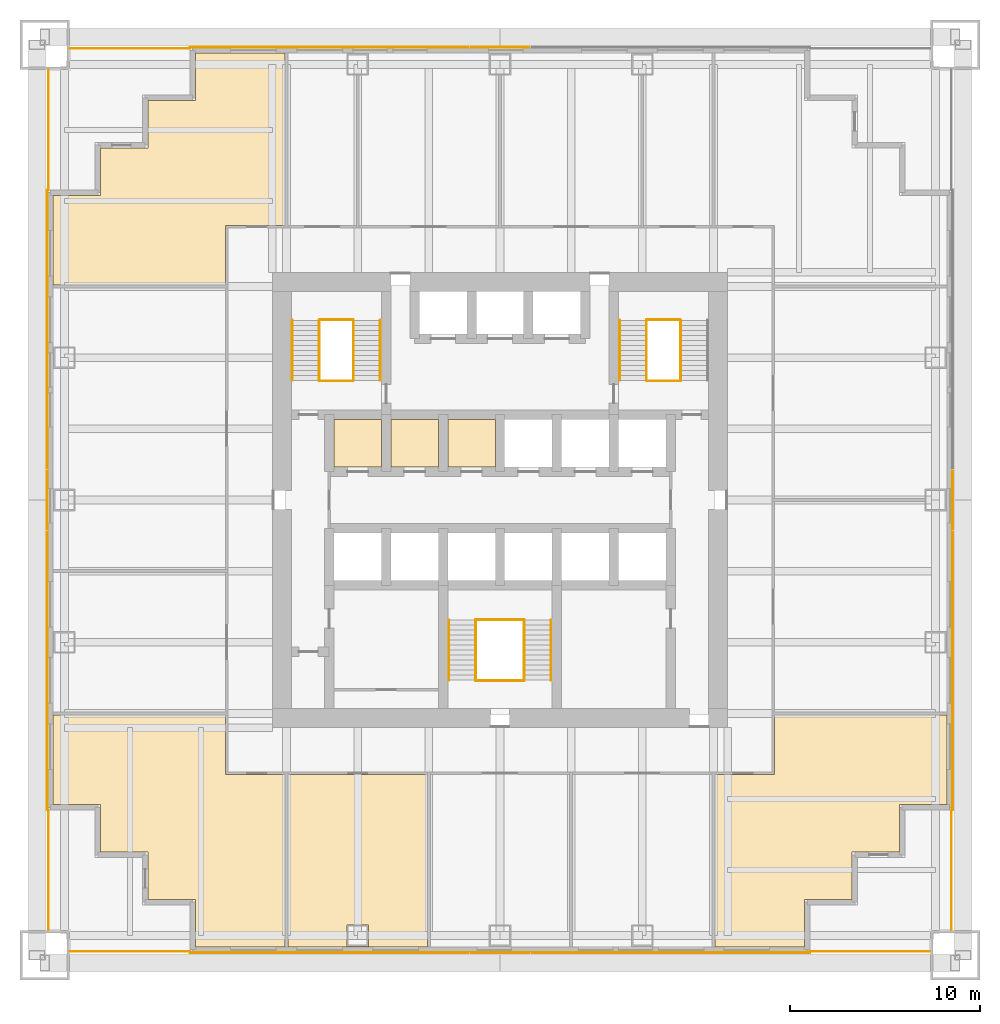
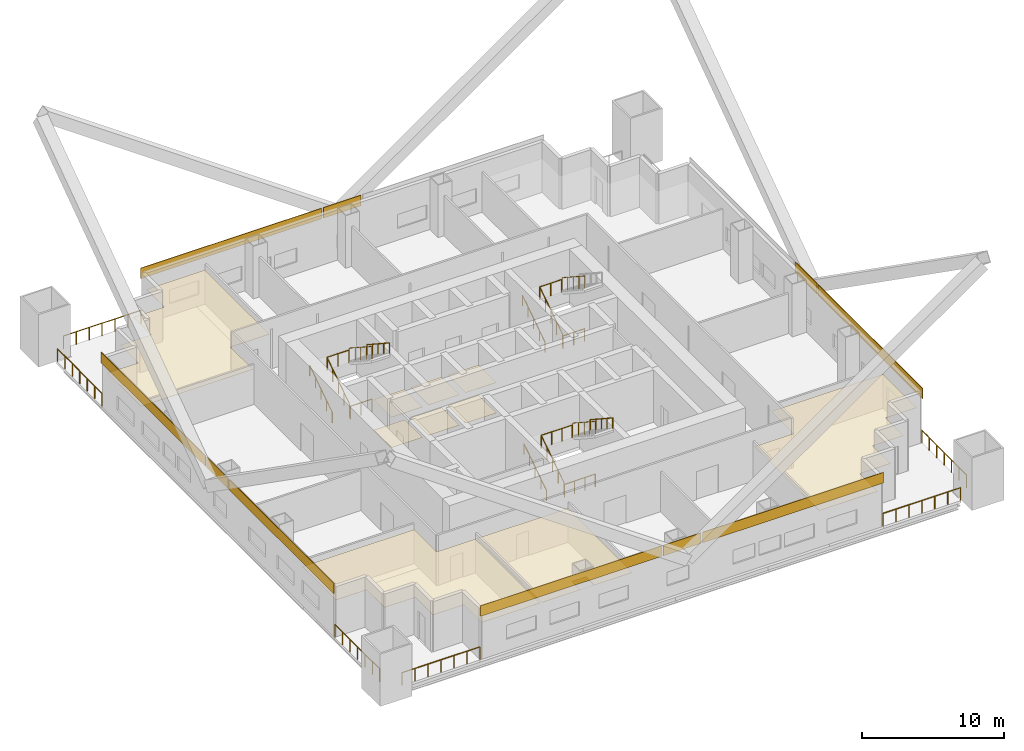
# One storey, part 6 of 7: 23 railings, 20 coverings.
"""IFC4 building model written with IfcOpenShell, lengths in metres."""

from ifc_helpers import new_model, si_unit, direction, frame, origin, origin_2d, place, context, subcontext, project, spatial, polyline, rectangle, circle, outline, extrude, material, layer, layer_set, type_object, element, save


model = new_model("IFC4")

# Units and contexts
model_context = context("Model", 3, precision=1e-05, world=origin(), true_north=direction((0.0, 1.0)))
body_context = subcontext(model_context, "Body", "Model", "MODEL_VIEW")
ifc_project = project(units=[si_unit("LENGTHUNIT", "METRE"), si_unit("AREAUNIT", "SQUARE_METRE"), si_unit("VOLUMEUNIT", "CUBIC_METRE"), si_unit("PLANEANGLEUNIT", "RADIAN"), si_unit("MASSUNIT", "GRAM", prefix="KILO")], contexts=[model_context])

# Site, building, storey
site_placement = place(None, origin())
site = spatial("IfcSite", under=ifc_project, at=site_placement, CompositionType="ELEMENT")
building_placement = place(site_placement, origin())
building = spatial("IfcBuilding", under=site, at=building_placement, Name="Tarangal Relay Tower", CompositionType="ELEMENT")
storey_placement = place(building_placement, frame((0.0, 0.0, 117.89990234375)))
storey = spatial("IfcBuildingStorey", under=building, at=storey_placement, Name="L23", CompositionType="ELEMENT", Elevation=117.89990234375)

# Coverings
ifc_material_1 = material(Name="Anti-static vinyl flooring", Category="plastic")
ifc_layer_1 = layer(ifc_material_1, 0.010009765625)
ifc_layer_set_1 = layer_set([ifc_layer_1], Name="Anti-static vinyl floor")
covering_type_1 = type_object("IfcCoveringType", Name="Anti-static vinyl floor", PredefinedType="FLOORING", material=ifc_layer_set_1)
covering_1_placement = place(storey_placement, origin())
element("IfcCovering", 1, at=covering_1_placement, inside=storey, type_object=covering_type_1, Name="Floor finish FL1 L23-D1", PredefinedType="FLOORING", context=body_context, shape_type="SweptSolid", body=[
    extrude(outline(polyline([(-8.75, 1.75), (-6.25, 1.75), (-6.25, 4.25), (-8.75, 4.25), (-8.75, 1.75)])), origin(), (0.0, 0.0, 1.0), 0.010009765625),
])
covering_2_placement = place(storey_placement, origin())
element("IfcCovering", 2, at=covering_2_placement, inside=storey, type_object=covering_type_1, Name="Floor finish FL1 L23-D2", PredefinedType="FLOORING", context=body_context, shape_type="SweptSolid", body=[
    extrude(outline(polyline([(-5.75, 1.75), (-3.25, 1.75), (-3.25, 4.25), (-5.75, 4.25), (-5.75, 1.75)])), origin(), (0.0, 0.0, 1.0), 0.010009765625),
])
covering_3_placement = place(storey_placement, origin())
element("IfcCovering", 3, at=covering_3_placement, inside=storey, type_object=covering_type_1, Name="Floor finish FL1 L23-D3", PredefinedType="FLOORING", context=body_context, shape_type="SweptSolid", body=[
    extrude(outline(polyline([(-2.75, 1.75), (-0.25, 1.75), (-0.25, 4.25), (-2.75, 4.25), (-2.75, 1.75)])), origin(), (0.0, 0.0, 1.0), 0.010009765625),
])
ifc_material_2 = material(Name="Black anodised aluminium cladding", Category="aluminium")
ifc_layer_2 = layer(ifc_material_2, 0.050048828125)
ifc_layer_set_2 = layer_set([ifc_layer_2], Name="Black metal spandrel band")
covering_type_2 = type_object("IfcCoveringType", Name="Black metal spandrel band", PredefinedType="CLADDING", material=ifc_layer_set_2)
covering_4_placement = place(storey_placement, frame((-9.010009765625, 23.875, 3.750244140625), z_axis=(0.0, 0.0, 1.0), x_axis=(1.0, 0.0, 0.0)))
element("IfcCovering", 4, at=covering_4_placement, inside=storey, type_object=covering_type_2, Name="Spandrel band SB1 N L23", PredefinedType="CLADDING", context=body_context, shape_type="SweptSolid", body=[
    extrude(rectangle(XDim=14.679931640625, YDim=0.050048828125, at=origin_2d()), origin(), (0.0, 0.0, 1.0), 0.89990234375),
])
for number, where, z_axis, x_axis, name in (
    (5, (0.0, 23.875, 3.750244140625), (0.0, 0.0, 1.0), (1.0, 0.0, 0.0), "Spandrel band SB1 N L23"),
    (6, (23.875, 0.0, 3.750244140625), (0.0, 0.0, 1.0), (0.0, -1.0, 0.0), "Spandrel band SB1 E L23"),
):
    element("IfcCovering", number, at=place(storey_placement, frame(where, z_axis=z_axis, x_axis=x_axis)), inside=storey, type_object=covering_type_2, Name=name, PredefinedType="CLADDING", context=body_context, shape_type="SweptSolid", body=[
        extrude(rectangle(XDim=3.06005859375, YDim=0.050048828125, at=origin_2d()), origin(), (0.0, 0.0, 1.0), 0.89990234375),
    ])
for number, where, z_axis, x_axis, name in (
    (7, (23.875, -9.010009765625, 3.750244140625), (0.0, 0.0, 1.0), (0.0, -1.0, 0.0), "Spandrel band SB1 E L23"),
    (8, (9.010009765625, -23.875, 3.750244140625), (0.0, 0.0, 1.0), (-1.0, 0.0, 0.0), "Spandrel band SB1 S L23"),
):
    element("IfcCovering", number, at=place(storey_placement, frame(where, z_axis=z_axis, x_axis=x_axis)), inside=storey, type_object=covering_type_2, Name=name, PredefinedType="CLADDING", context=body_context, shape_type="SweptSolid", body=[
        extrude(rectangle(XDim=14.679931640625, YDim=0.050048828125, at=origin_2d()), origin(), (0.0, 0.0, 1.0), 0.89990234375),
    ])
covering_5_placement = place(storey_placement, frame((0.0, -23.875, 3.750244140625), z_axis=(0.0, 0.0, 1.0), x_axis=(-1.0, 0.0, 0.0)))
element("IfcCovering", 9, at=covering_5_placement, inside=storey, type_object=covering_type_2, Name="Spandrel band SB1 S L23", PredefinedType="CLADDING", context=body_context, shape_type="SweptSolid", body=[
    extrude(rectangle(XDim=3.06005859375, YDim=0.050048828125, at=origin_2d()), origin(), (0.0, 0.0, 1.0), 0.89990234375),
])
for number, where, z_axis, x_axis, name in (
    (10, (-9.010009765625, -23.875, 3.750244140625), (0.0, 0.0, 1.0), (-1.0, 0.0, 0.0), "Spandrel band SB1 S L23"),
    (11, (-23.875, -9.010009765625, 3.750244140625), (0.0, 0.0, 1.0), (0.0, 1.0, 0.0), "Spandrel band SB1 W L23"),
):
    element("IfcCovering", number, at=place(storey_placement, frame(where, z_axis=z_axis, x_axis=x_axis)), inside=storey, type_object=covering_type_2, Name=name, PredefinedType="CLADDING", context=body_context, shape_type="SweptSolid", body=[
        extrude(rectangle(XDim=14.679931640625, YDim=0.050048828125, at=origin_2d()), origin(), (0.0, 0.0, 1.0), 0.89990234375),
    ])
covering_6_placement = place(storey_placement, frame((-23.875, 0.0, 3.750244140625), z_axis=(0.0, 0.0, 1.0), x_axis=(0.0, 1.0, 0.0)))
element("IfcCovering", 12, at=covering_6_placement, inside=storey, type_object=covering_type_2, Name="Spandrel band SB1 W L23", PredefinedType="CLADDING", context=body_context, shape_type="SweptSolid", body=[
    extrude(rectangle(XDim=3.06005859375, YDim=0.050048828125, at=origin_2d()), origin(), (0.0, 0.0, 1.0), 0.89990234375),
])
covering_7_placement = place(storey_placement, frame((-23.875, 9.010009765625, 3.750244140625), z_axis=(0.0, 0.0, 1.0), x_axis=(0.0, 1.0, 0.0)))
element("IfcCovering", 13, at=covering_7_placement, inside=storey, type_object=covering_type_2, Name="Spandrel band SB1 W L23", PredefinedType="CLADDING", context=body_context, shape_type="SweptSolid", body=[
    extrude(rectangle(XDim=14.679931640625, YDim=0.050048828125, at=origin_2d()), origin(), (0.0, 0.0, 1.0), 0.89990234375),
])

# Railings
ifc_material_3 = material(Name="Steel guard, black finish", Category="steel")
railing_type_1 = type_object("IfcRailingType", Name="Stair guard 1100", PredefinedType="GUARDRAIL", material=ifc_material_3)
railing_1_placement = place(storey_placement, frame((-9.530029296875, 6.300048828125, 0.173095703125)))
element("IfcRailing", 14, at=railing_1_placement, inside=storey, type_object=railing_type_1, Name="Stair ST-A guard GR1 L23 flight 1", PredefinedType="GUARDRAIL", context=body_context, shape_type="SweptSolid", body=[
    extrude(circle(Radius=0.02392578125, at=origin_2d()), frame((0.0, 0.0, 1.076171875), z_axis=(0.0, 0.83629911093, 0.548273469226), x_axis=(-1.0, 0.0, 0.0)), (0.0, 0.0, 1.0), 3.7880859375),
    extrude(circle(Radius=0.02099609375, at=origin_2d()), origin(), (0.0, 0.0, 1.0), 1.052001953125),
    extrude(circle(Radius=0.02099609375, at=origin_2d()), frame((0.0, 0.7919921875, 0.519287109375)), (0.0, 0.0, 1.0), 1.052001953125),
    extrude(circle(Radius=0.02099609375, at=origin_2d()), frame((0.0, 1.583984375, 1.03857421875)), (0.0, 0.0, 1.0), 1.052001953125),
    extrude(circle(Radius=0.02099609375, at=origin_2d()), frame((0.0, 2.3759765625, 1.5576171875)), (0.0, 0.0, 1.0), 1.052001953125),
    extrude(circle(Radius=0.02099609375, at=origin_2d()), frame((0.0, 3.16796875, 2.076904296875)), (0.0, 0.0, 1.0), 1.052001953125),
])
railing_2_placement = place(storey_placement, frame((-7.719970703125, 9.468017578125, 2.423095703125)))
element("IfcRailing", 15, at=railing_2_placement, inside=storey, type_object=railing_type_1, Name="Stair ST-A guard GR1 L23 flight 2", PredefinedType="GUARDRAIL", context=body_context, shape_type="SweptSolid", body=[
    extrude(circle(Radius=0.02392578125, at=origin_2d()), frame((0.0, 0.0, 1.076171875), z_axis=(0.0, -0.83629911093, 0.548273469226), x_axis=(1.0, 0.0, 0.0)), (0.0, 0.0, 1.0), 3.7880859375),
    extrude(circle(Radius=0.02099609375, at=origin_2d()), origin(), (0.0, 0.0, 1.0), 1.052001953125),
    extrude(circle(Radius=0.02099609375, at=origin_2d()), frame((0.0, -0.7919921875, 0.519287109375)), (0.0, 0.0, 1.0), 1.052001953125),
    extrude(circle(Radius=0.02099609375, at=origin_2d()), frame((0.0, -1.583984375, 1.03857421875)), (0.0, 0.0, 1.0), 1.052001953125),
    extrude(circle(Radius=0.02099609375, at=origin_2d()), frame((0.0, -2.3759765625, 1.5576171875)), (0.0, 0.0, 1.0), 1.052001953125),
    extrude(circle(Radius=0.02099609375, at=origin_2d()), frame((0.0, -3.16796875, 2.076904296875)), (0.0, 0.0, 1.0), 1.052001953125),
])
for number, where, name in (
    (16, (-9.5, 6.27001953125, 0.0), "Stair ST-A landing guard GR1 L23"),
    (17, (-9.5, 9.498046875, 2.25), "Stair ST-A landing guard GR1 L23"),
):
    element("IfcRailing", number, at=place(storey_placement, frame(where)), inside=storey, type_object=railing_type_1, Name=name, PredefinedType="GUARDRAIL", context=body_context, shape_type="SweptSolid", body=[
        extrude(circle(Radius=0.02392578125, at=origin_2d()), frame((0.0, 0.0, 1.076171875), z_axis=(1.0, 0.0, 0.0), x_axis=(0.0, 1.0, 0.0)), (0.0, 0.0, 1.0), 1.75),
        extrude(circle(Radius=0.02099609375, at=origin_2d()), origin(), (0.0, 0.0, 1.0), 1.052001953125),
        extrude(circle(Radius=0.02099609375, at=origin_2d()), frame((0.875, 0.0, 0.0)), (0.0, 0.0, 1.0), 1.052001953125),
        extrude(circle(Radius=0.02099609375, at=origin_2d()), frame((1.75, 0.0, 0.0)), (0.0, 0.0, 1.0), 1.052001953125),
    ])
railing_3_placement = place(storey_placement, frame((7.719970703125, 6.300048828125, 0.173095703125)))
element("IfcRailing", 18, at=railing_3_placement, inside=storey, type_object=railing_type_1, Name="Stair ST-B guard GR1 L23 flight 1", PredefinedType="GUARDRAIL", context=body_context, shape_type="SweptSolid", body=[
    extrude(circle(Radius=0.02392578125, at=origin_2d()), frame((0.0, 0.0, 1.076171875), z_axis=(0.0, 0.83629911093, 0.548273469226), x_axis=(-1.0, 0.0, 0.0)), (0.0, 0.0, 1.0), 3.7880859375),
    extrude(circle(Radius=0.02099609375, at=origin_2d()), origin(), (0.0, 0.0, 1.0), 1.052001953125),
    extrude(circle(Radius=0.02099609375, at=origin_2d()), frame((0.0, 0.7919921875, 0.519287109375)), (0.0, 0.0, 1.0), 1.052001953125),
    extrude(circle(Radius=0.02099609375, at=origin_2d()), frame((0.0, 1.583984375, 1.03857421875)), (0.0, 0.0, 1.0), 1.052001953125),
    extrude(circle(Radius=0.02099609375, at=origin_2d()), frame((0.0, 2.3759765625, 1.5576171875)), (0.0, 0.0, 1.0), 1.052001953125),
    extrude(circle(Radius=0.02099609375, at=origin_2d()), frame((0.0, 3.16796875, 2.076904296875)), (0.0, 0.0, 1.0), 1.052001953125),
])
railing_4_placement = place(storey_placement, frame((9.530029296875, 9.468017578125, 2.423095703125)))
element("IfcRailing", 19, at=railing_4_placement, inside=storey, type_object=railing_type_1, Name="Stair ST-B guard GR1 L23 flight 2", PredefinedType="GUARDRAIL", context=body_context, shape_type="SweptSolid", body=[
    extrude(circle(Radius=0.02392578125, at=origin_2d()), frame((0.0, 0.0, 1.076171875), z_axis=(0.0, -0.83629911093, 0.548273469226), x_axis=(1.0, 0.0, 0.0)), (0.0, 0.0, 1.0), 3.7880859375),
    extrude(circle(Radius=0.02099609375, at=origin_2d()), origin(), (0.0, 0.0, 1.0), 1.052001953125),
    extrude(circle(Radius=0.02099609375, at=origin_2d()), frame((0.0, -0.7919921875, 0.519287109375)), (0.0, 0.0, 1.0), 1.052001953125),
    extrude(circle(Radius=0.02099609375, at=origin_2d()), frame((0.0, -1.583984375, 1.03857421875)), (0.0, 0.0, 1.0), 1.052001953125),
    extrude(circle(Radius=0.02099609375, at=origin_2d()), frame((0.0, -2.3759765625, 1.5576171875)), (0.0, 0.0, 1.0), 1.052001953125),
    extrude(circle(Radius=0.02099609375, at=origin_2d()), frame((0.0, -3.16796875, 2.076904296875)), (0.0, 0.0, 1.0), 1.052001953125),
])
for number, where, name in (
    (20, (7.75, 6.27001953125, 0.0), "Stair ST-B landing guard GR1 L23"),
    (21, (7.75, 9.498046875, 2.25), "Stair ST-B landing guard GR1 L23"),
):
    element("IfcRailing", number, at=place(storey_placement, frame(where)), inside=storey, type_object=railing_type_1, Name=name, PredefinedType="GUARDRAIL", context=body_context, shape_type="SweptSolid", body=[
        extrude(circle(Radius=0.02392578125, at=origin_2d()), frame((0.0, 0.0, 1.076171875), z_axis=(1.0, 0.0, 0.0), x_axis=(0.0, 1.0, 0.0)), (0.0, 0.0, 1.0), 1.75),
        extrude(circle(Radius=0.02099609375, at=origin_2d()), origin(), (0.0, 0.0, 1.0), 1.052001953125),
        extrude(circle(Radius=0.02099609375, at=origin_2d()), frame((0.875, 0.0, 0.0)), (0.0, 0.0, 1.0), 1.052001953125),
        extrude(circle(Radius=0.02099609375, at=origin_2d()), frame((1.75, 0.0, 0.0)), (0.0, 0.0, 1.0), 1.052001953125),
    ])
railing_5_placement = place(storey_placement, frame((-1.280029296875, -9.5, 0.173095703125)))
element("IfcRailing", 22, at=railing_5_placement, inside=storey, type_object=railing_type_1, Name="Stair ST-C guard GR1 L23 flight 1", PredefinedType="GUARDRAIL", context=body_context, shape_type="SweptSolid", body=[
    extrude(circle(Radius=0.02392578125, at=origin_2d()), frame((0.0, 0.0, 1.076171875), z_axis=(0.0, 0.83629911093, 0.548273469226), x_axis=(-1.0, 0.0, 0.0)), (0.0, 0.0, 1.0), 3.7880859375),
    extrude(circle(Radius=0.02099609375, at=origin_2d()), origin(), (0.0, 0.0, 1.0), 1.052001953125),
    extrude(circle(Radius=0.02099609375, at=origin_2d()), frame((0.0, 0.7919921875, 0.519287109375)), (0.0, 0.0, 1.0), 1.052001953125),
    extrude(circle(Radius=0.02099609375, at=origin_2d()), frame((0.0, 1.583984375, 1.03857421875)), (0.0, 0.0, 1.0), 1.052001953125),
    extrude(circle(Radius=0.02099609375, at=origin_2d()), frame((0.0, 2.3759765625, 1.5576171875)), (0.0, 0.0, 1.0), 1.052001953125),
    extrude(circle(Radius=0.02099609375, at=origin_2d()), frame((0.0, 3.16796875, 2.076904296875)), (0.0, 0.0, 1.0), 1.052001953125),
])
railing_6_placement = place(storey_placement, frame((1.280029296875, -6.33203125, 2.423095703125)))
element("IfcRailing", 23, at=railing_6_placement, inside=storey, type_object=railing_type_1, Name="Stair ST-C guard GR1 L23 flight 2", PredefinedType="GUARDRAIL", context=body_context, shape_type="SweptSolid", body=[
    extrude(circle(Radius=0.02392578125, at=origin_2d()), frame((0.0, 0.0, 1.076171875), z_axis=(0.0, -0.83629911093, 0.548273469226), x_axis=(1.0, 0.0, 0.0)), (0.0, 0.0, 1.0), 3.7880859375),
    extrude(circle(Radius=0.02099609375, at=origin_2d()), origin(), (0.0, 0.0, 1.0), 1.052001953125),
    extrude(circle(Radius=0.02099609375, at=origin_2d()), frame((0.0, -0.7919921875, 0.519287109375)), (0.0, 0.0, 1.0), 1.052001953125),
    extrude(circle(Radius=0.02099609375, at=origin_2d()), frame((0.0, -1.583984375, 1.03857421875)), (0.0, 0.0, 1.0), 1.052001953125),
    extrude(circle(Radius=0.02099609375, at=origin_2d()), frame((0.0, -2.3759765625, 1.5576171875)), (0.0, 0.0, 1.0), 1.052001953125),
    extrude(circle(Radius=0.02099609375, at=origin_2d()), frame((0.0, -3.16796875, 2.076904296875)), (0.0, 0.0, 1.0), 1.052001953125),
])
for number, where, name in (
    (24, (-1.25, -9.530029296875, 0.0), "Stair ST-C landing guard GR1 L23"),
    (25, (-1.25, -6.302001953125, 2.25), "Stair ST-C landing guard GR1 L23"),
):
    element("IfcRailing", number, at=place(storey_placement, frame(where)), inside=storey, type_object=railing_type_1, Name=name, PredefinedType="GUARDRAIL", context=body_context, shape_type="SweptSolid", body=[
        extrude(circle(Radius=0.02392578125, at=origin_2d()), frame((0.0, 0.0, 1.076171875), z_axis=(1.0, 0.0, 0.0), x_axis=(0.0, 1.0, 0.0)), (0.0, 0.0, 1.0), 2.5),
        extrude(circle(Radius=0.02099609375, at=origin_2d()), origin(), (0.0, 0.0, 1.0), 1.052001953125),
        extrude(circle(Radius=0.02099609375, at=origin_2d()), frame((0.833251953125, 0.0, 0.0)), (0.0, 0.0, 1.0), 1.052001953125),
        extrude(circle(Radius=0.02099609375, at=origin_2d()), frame((1.666748046875, 0.0, 0.0)), (0.0, 0.0, 1.0), 1.052001953125),
        extrude(circle(Radius=0.02099609375, at=origin_2d()), frame((2.5, 0.0, 0.0)), (0.0, 0.0, 1.0), 1.052001953125),
    ])
ifc_material_4 = material(Name="Steel handrail, black finish", Category="steel")
railing_type_2 = type_object("IfcRailingType", Name="Stair handrail 900", PredefinedType="HANDRAIL", material=ifc_material_4)
railing_7_placement = place(storey_placement, frame((-10.93994140625, 6.300048828125, 0.173095703125)))
element("IfcRailing", 26, at=railing_7_placement, inside=storey, type_object=railing_type_2, Name="Stair ST-A handrail HR1 L23 flight 1", PredefinedType="HANDRAIL", context=body_context, shape_type="SweptSolid", body=[
    extrude(circle(Radius=0.02392578125, at=origin_2d()), frame((0.0, 0.0, 0.8759765625), z_axis=(0.0, 0.83629911093, 0.548273469226), x_axis=(-1.0, 0.0, 0.0)), (0.0, 0.0, 1.0), 3.7880859375),
    extrude(circle(Radius=0.02099609375, at=origin_2d()), origin(), (0.0, 0.0, 1.0), 0.851806640625),
    extrude(circle(Radius=0.02099609375, at=origin_2d()), frame((0.0, 0.7919921875, 0.519287109375)), (0.0, 0.0, 1.0), 0.851806640625),
    extrude(circle(Radius=0.02099609375, at=origin_2d()), frame((0.0, 1.583984375, 1.03857421875)), (0.0, 0.0, 1.0), 0.851806640625),
    extrude(circle(Radius=0.02099609375, at=origin_2d()), frame((0.0, 2.3759765625, 1.5576171875)), (0.0, 0.0, 1.0), 0.851806640625),
    extrude(circle(Radius=0.02099609375, at=origin_2d()), frame((0.0, 3.16796875, 2.076904296875)), (0.0, 0.0, 1.0), 0.851806640625),
])
railing_8_placement = place(storey_placement, frame((-6.31005859375, 9.468017578125, 2.423095703125)))
element("IfcRailing", 27, at=railing_8_placement, inside=storey, type_object=railing_type_2, Name="Stair ST-A handrail HR1 L23 flight 2", PredefinedType="HANDRAIL", context=body_context, shape_type="SweptSolid", body=[
    extrude(circle(Radius=0.02392578125, at=origin_2d()), frame((0.0, 0.0, 0.8759765625), z_axis=(0.0, -0.83629911093, 0.548273469226), x_axis=(1.0, 0.0, 0.0)), (0.0, 0.0, 1.0), 3.7880859375),
    extrude(circle(Radius=0.02099609375, at=origin_2d()), origin(), (0.0, 0.0, 1.0), 0.851806640625),
    extrude(circle(Radius=0.02099609375, at=origin_2d()), frame((0.0, -0.7919921875, 0.519287109375)), (0.0, 0.0, 1.0), 0.851806640625),
    extrude(circle(Radius=0.02099609375, at=origin_2d()), frame((0.0, -1.583984375, 1.03857421875)), (0.0, 0.0, 1.0), 0.851806640625),
    extrude(circle(Radius=0.02099609375, at=origin_2d()), frame((0.0, -2.3759765625, 1.5576171875)), (0.0, 0.0, 1.0), 0.851806640625),
    extrude(circle(Radius=0.02099609375, at=origin_2d()), frame((0.0, -3.16796875, 2.076904296875)), (0.0, 0.0, 1.0), 0.851806640625),
])
for number, where, name in (
    (28, (6.31005859375, 6.300048828125, 0.173095703125), "Stair ST-B handrail HR1 L23 flight 1"),
    (29, (-2.68994140625, -9.5, 0.173095703125), "Stair ST-C handrail HR1 L23 flight 1"),
):
    element("IfcRailing", number, at=place(storey_placement, frame(where)), inside=storey, type_object=railing_type_2, Name=name, PredefinedType="HANDRAIL", context=body_context, shape_type="SweptSolid", body=[
        extrude(circle(Radius=0.02392578125, at=origin_2d()), frame((0.0, 0.0, 0.8759765625), z_axis=(0.0, 0.83629911093, 0.548273469226), x_axis=(-1.0, 0.0, 0.0)), (0.0, 0.0, 1.0), 3.7880859375),
        extrude(circle(Radius=0.02099609375, at=origin_2d()), origin(), (0.0, 0.0, 1.0), 0.851806640625),
        extrude(circle(Radius=0.02099609375, at=origin_2d()), frame((0.0, 0.7919921875, 0.519287109375)), (0.0, 0.0, 1.0), 0.851806640625),
        extrude(circle(Radius=0.02099609375, at=origin_2d()), frame((0.0, 1.583984375, 1.03857421875)), (0.0, 0.0, 1.0), 0.851806640625),
        extrude(circle(Radius=0.02099609375, at=origin_2d()), frame((0.0, 2.3759765625, 1.5576171875)), (0.0, 0.0, 1.0), 0.851806640625),
        extrude(circle(Radius=0.02099609375, at=origin_2d()), frame((0.0, 3.16796875, 2.076904296875)), (0.0, 0.0, 1.0), 0.851806640625),
    ])
railing_9_placement = place(storey_placement, frame((2.68994140625, -6.33203125, 2.423095703125)))
element("IfcRailing", 30, at=railing_9_placement, inside=storey, type_object=railing_type_2, Name="Stair ST-C handrail HR1 L23 flight 2", PredefinedType="HANDRAIL", context=body_context, shape_type="SweptSolid", body=[
    extrude(circle(Radius=0.02392578125, at=origin_2d()), frame((0.0, 0.0, 0.8759765625), z_axis=(0.0, -0.83629911093, 0.548273469226), x_axis=(1.0, 0.0, 0.0)), (0.0, 0.0, 1.0), 3.7880859375),
    extrude(circle(Radius=0.02099609375, at=origin_2d()), origin(), (0.0, 0.0, 1.0), 0.851806640625),
    extrude(circle(Radius=0.02099609375, at=origin_2d()), frame((0.0, -0.7919921875, 0.519287109375)), (0.0, 0.0, 1.0), 0.851806640625),
    extrude(circle(Radius=0.02099609375, at=origin_2d()), frame((0.0, -1.583984375, 1.03857421875)), (0.0, 0.0, 1.0), 0.851806640625),
    extrude(circle(Radius=0.02099609375, at=origin_2d()), frame((0.0, -2.3759765625, 1.5576171875)), (0.0, 0.0, 1.0), 0.851806640625),
    extrude(circle(Radius=0.02099609375, at=origin_2d()), frame((0.0, -3.16796875, 2.076904296875)), (0.0, 0.0, 1.0), 0.851806640625),
])

# Coverings
ifc_material_5 = material(Name="Mineral fibre ceiling tiles", Category="gypsum")
ifc_layer_3 = layer(ifc_material_5, 0.02001953125)
ifc_layer_set_3 = layer_set([ifc_layer_3], Name="Suspended ceiling")
covering_type_3 = type_object("IfcCoveringType", Name="Suspended ceiling", PredefinedType="CEILING", material=ifc_layer_set_3)
covering_8_placement = place(storey_placement, frame((0.0, 0.0, 2.60009765625)))
element("IfcCovering", 31, at=covering_8_placement, inside=storey, type_object=covering_type_3, Name="Suspended ceiling CL1 L23-D1", PredefinedType="CEILING", context=body_context, shape_type="SweptSolid", body=[
    extrude(outline(polyline([(-8.75, 1.75), (-6.25, 1.75), (-6.25, 4.25), (-8.75, 4.25), (-8.75, 1.75)])), origin(), (0.0, 0.0, 1.0), 0.02001953125),
])
covering_9_placement = place(storey_placement, frame((0.0, 0.0, 2.60009765625)))
element("IfcCovering", 32, at=covering_9_placement, inside=storey, type_object=covering_type_3, Name="Suspended ceiling CL1 L23-D2", PredefinedType="CEILING", context=body_context, shape_type="SweptSolid", body=[
    extrude(outline(polyline([(-5.75, 1.75), (-3.25, 1.75), (-3.25, 4.25), (-5.75, 4.25), (-5.75, 1.75)])), origin(), (0.0, 0.0, 1.0), 0.02001953125),
])
covering_10_placement = place(storey_placement, frame((0.0, 0.0, 2.60009765625)))
element("IfcCovering", 33, at=covering_10_placement, inside=storey, type_object=covering_type_3, Name="Suspended ceiling CL1 L23-D3", PredefinedType="CEILING", context=body_context, shape_type="SweptSolid", body=[
    extrude(outline(polyline([(-2.75, 1.75), (-0.25, 1.75), (-0.25, 4.25), (-2.75, 4.25), (-2.75, 1.75)])), origin(), (0.0, 0.0, 1.0), 0.02001953125),
])
covering_11_placement = place(storey_placement, frame((0.0, 0.0, 2.900146484375)))
element("IfcCovering", 34, at=covering_11_placement, inside=storey, type_object=covering_type_3, Name="Suspended ceiling CL1 L23-10", PredefinedType="CEILING", context=body_context, shape_type="SweptSolid", body=[
    extrude(outline(polyline([(-11.175048828125, -23.550048828125), (-3.824951171875, -23.550048828125), (-3.824951171875, -14.47509765625), (-11.175048828125, -14.47509765625), (-11.175048828125, -23.550048828125)]), holes=[polyline([(-6.925048828125, -22.389892578125), (-8.074951171875, -22.389892578125), (-8.074951171875, -23.5400390625), (-6.925048828125, -23.5400390625), (-6.925048828125, -22.389892578125)])]), origin(), (0.0, 0.0, 1.0), 0.02001953125),
])
covering_12_placement = place(storey_placement, frame((0.0, 0.0, 2.900146484375)))
element("IfcCovering", 35, at=covering_12_placement, inside=storey, type_object=covering_type_3, Name="Suspended ceiling CL1 L23-14", PredefinedType="CEILING", context=body_context, shape_type="SweptSolid", body=[
    extrude(outline(polyline([(23.550048828125, -16.050048828125), (23.550048828125, -11.324951171875), (14.47509765625, -11.324951171875), (14.47509765625, -14.47509765625), (11.324951171875, -14.47509765625), (11.324951171875, -23.550048828125), (16.050048828125, -23.550048828125), (16.050048828125, -21.050048828125), (18.550048828125, -21.050048828125), (18.550048828125, -18.550048828125), (21.050048828125, -18.550048828125), (21.050048828125, -16.050048828125), (23.550048828125, -16.050048828125)])), origin(), (0.0, 0.0, 1.0), 0.02001953125),
])
covering_13_placement = place(storey_placement, frame((0.0, 0.0, 2.900146484375)))
element("IfcCovering", 36, at=covering_13_placement, inside=storey, type_object=covering_type_3, Name="Suspended ceiling CL1 L23-15", PredefinedType="CEILING", context=body_context, shape_type="SweptSolid", body=[
    extrude(outline(polyline([(-16.050048828125, -21.050048828125), (-16.050048828125, -23.550048828125), (-11.324951171875, -23.550048828125), (-11.324951171875, -14.47509765625), (-14.47509765625, -14.47509765625), (-14.47509765625, -11.324951171875), (-23.550048828125, -11.324951171875), (-23.550048828125, -16.050048828125), (-21.050048828125, -16.050048828125), (-21.050048828125, -18.550048828125), (-18.550048828125, -18.550048828125), (-18.550048828125, -21.050048828125), (-16.050048828125, -21.050048828125)])), origin(), (0.0, 0.0, 1.0), 0.02001953125),
])
covering_14_placement = place(storey_placement, frame((0.0, 0.0, 2.900146484375)))
element("IfcCovering", 37, at=covering_14_placement, inside=storey, type_object=covering_type_3, Name="Suspended ceiling CL1 L23-16", PredefinedType="CEILING", context=body_context, shape_type="SweptSolid", body=[
    extrude(outline(polyline([(-21.050048828125, 16.050048828125), (-23.550048828125, 16.050048828125), (-23.550048828125, 11.324951171875), (-14.47509765625, 11.324951171875), (-14.47509765625, 14.47509765625), (-11.324951171875, 14.47509765625), (-11.324951171875, 23.550048828125), (-16.050048828125, 23.550048828125), (-16.050048828125, 21.050048828125), (-18.550048828125, 21.050048828125), (-18.550048828125, 18.550048828125), (-21.050048828125, 18.550048828125), (-21.050048828125, 16.050048828125)])), origin(), (0.0, 0.0, 1.0), 0.02001953125),
])

# Railings
ifc_material_6 = material(Name="Black steel guard with glass infill", Category="steel")
railing_type_3 = type_object("IfcRailingType", Name="Terrace guard 1100", PredefinedType="GUARDRAIL", material=ifc_material_6)
railing_10_placement = place(storey_placement, frame((23.800048828125, -16.35009765625, 0.0)))
element("IfcRailing", 38, at=railing_10_placement, inside=storey, type_object=railing_type_3, Name="Terrace guard GR2 SE L23", PredefinedType="GUARDRAIL", context=body_context, shape_type="SweptSolid", body=[
    extrude(circle(Radius=0.02392578125, at=origin_2d()), frame((0.0, 0.0, 1.076171875), z_axis=(0.0, -1.0, 0.0), x_axis=(1.0, 0.0, 0.0)), (0.0, 0.0, 1.0), 6.2998046875),
    extrude(circle(Radius=0.02099609375, at=origin_2d()), origin(), (0.0, 0.0, 1.0), 1.052001953125),
    extrude(circle(Radius=0.02099609375, at=origin_2d()), frame((0.0, -1.050048828125, 0.0)), (0.0, 0.0, 1.0), 1.052001953125),
    extrude(circle(Radius=0.02099609375, at=origin_2d()), frame((0.0, -2.099853515625, 0.0)), (0.0, 0.0, 1.0), 1.052001953125),
    extrude(circle(Radius=0.02099609375, at=origin_2d()), frame((0.0, -3.14990234375, 0.0)), (0.0, 0.0, 1.0), 1.052001953125),
    extrude(circle(Radius=0.02099609375, at=origin_2d()), frame((0.0, -4.199951171875, 0.0)), (0.0, 0.0, 1.0), 1.052001953125),
    extrude(circle(Radius=0.02099609375, at=origin_2d()), frame((0.0, -5.249755859375, 0.0)), (0.0, 0.0, 1.0), 1.052001953125),
    extrude(circle(Radius=0.02099609375, at=origin_2d()), frame((0.0, -6.2998046875, 0.0)), (0.0, 0.0, 1.0), 1.052001953125),
])
for number, where, name in (
    (39, (22.64990234375, -23.800048828125, 0.0), "Terrace guard GR2 SE L23"),
    (40, (-16.35009765625, -23.800048828125, 0.0), "Terrace guard GR2 SW L23"),
):
    element("IfcRailing", number, at=place(storey_placement, frame(where)), inside=storey, type_object=railing_type_3, Name=name, PredefinedType="GUARDRAIL", context=body_context, shape_type="SweptSolid", body=[
        extrude(circle(Radius=0.02392578125, at=origin_2d()), frame((0.0, 0.0, 1.076171875), z_axis=(-1.0, 0.0, 0.0), x_axis=(0.0, -1.0, 0.0)), (0.0, 0.0, 1.0), 6.2998046875),
        extrude(circle(Radius=0.02099609375, at=origin_2d()), origin(), (0.0, 0.0, 1.0), 1.052001953125),
        extrude(circle(Radius=0.02099609375, at=origin_2d()), frame((-1.050048828125, 0.0, 0.0)), (0.0, 0.0, 1.0), 1.052001953125),
        extrude(circle(Radius=0.02099609375, at=origin_2d()), frame((-2.099853515625, 0.0, 0.0)), (0.0, 0.0, 1.0), 1.052001953125),
        extrude(circle(Radius=0.02099609375, at=origin_2d()), frame((-3.14990234375, 0.0, 0.0)), (0.0, 0.0, 1.0), 1.052001953125),
        extrude(circle(Radius=0.02099609375, at=origin_2d()), frame((-4.199951171875, 0.0, 0.0)), (0.0, 0.0, 1.0), 1.052001953125),
        extrude(circle(Radius=0.02099609375, at=origin_2d()), frame((-5.249755859375, 0.0, 0.0)), (0.0, 0.0, 1.0), 1.052001953125),
        extrude(circle(Radius=0.02099609375, at=origin_2d()), frame((-6.2998046875, 0.0, 0.0)), (0.0, 0.0, 1.0), 1.052001953125),
    ])
for number, where, name in (
    (41, (-23.800048828125, -22.64990234375, 0.0), "Terrace guard GR2 SW L23"),
    (42, (-23.800048828125, 16.35009765625, 0.0), "Terrace guard GR2 NW L23"),
):
    element("IfcRailing", number, at=place(storey_placement, frame(where)), inside=storey, type_object=railing_type_3, Name=name, PredefinedType="GUARDRAIL", context=body_context, shape_type="SweptSolid", body=[
        extrude(circle(Radius=0.02392578125, at=origin_2d()), frame((0.0, 0.0, 1.076171875), z_axis=(0.0, 1.0, 0.0), x_axis=(-1.0, 0.0, 0.0)), (0.0, 0.0, 1.0), 6.2998046875),
        extrude(circle(Radius=0.02099609375, at=origin_2d()), origin(), (0.0, 0.0, 1.0), 1.052001953125),
        extrude(circle(Radius=0.02099609375, at=origin_2d()), frame((0.0, 1.050048828125, 0.0)), (0.0, 0.0, 1.0), 1.052001953125),
        extrude(circle(Radius=0.02099609375, at=origin_2d()), frame((0.0, 2.099853515625, 0.0)), (0.0, 0.0, 1.0), 1.052001953125),
        extrude(circle(Radius=0.02099609375, at=origin_2d()), frame((0.0, 3.14990234375, 0.0)), (0.0, 0.0, 1.0), 1.052001953125),
        extrude(circle(Radius=0.02099609375, at=origin_2d()), frame((0.0, 4.199951171875, 0.0)), (0.0, 0.0, 1.0), 1.052001953125),
        extrude(circle(Radius=0.02099609375, at=origin_2d()), frame((0.0, 5.249755859375, 0.0)), (0.0, 0.0, 1.0), 1.052001953125),
        extrude(circle(Radius=0.02099609375, at=origin_2d()), frame((0.0, 6.2998046875, 0.0)), (0.0, 0.0, 1.0), 1.052001953125),
    ])
railing_11_placement = place(storey_placement, frame((-22.64990234375, 23.800048828125, 0.0)))
element("IfcRailing", 43, at=railing_11_placement, inside=storey, type_object=railing_type_3, Name="Terrace guard GR2 NW L23", PredefinedType="GUARDRAIL", context=body_context, shape_type="SweptSolid", body=[
    extrude(circle(Radius=0.02392578125, at=origin_2d()), frame((0.0, 0.0, 1.076171875), z_axis=(1.0, 0.0, 0.0), x_axis=(0.0, 1.0, 0.0)), (0.0, 0.0, 1.0), 6.2998046875),
    extrude(circle(Radius=0.02099609375, at=origin_2d()), origin(), (0.0, 0.0, 1.0), 1.052001953125),
    extrude(circle(Radius=0.02099609375, at=origin_2d()), frame((1.050048828125, 0.0, 0.0)), (0.0, 0.0, 1.0), 1.052001953125),
    extrude(circle(Radius=0.02099609375, at=origin_2d()), frame((2.099853515625, 0.0, 0.0)), (0.0, 0.0, 1.0), 1.052001953125),
    extrude(circle(Radius=0.02099609375, at=origin_2d()), frame((3.14990234375, 0.0, 0.0)), (0.0, 0.0, 1.0), 1.052001953125),
    extrude(circle(Radius=0.02099609375, at=origin_2d()), frame((4.199951171875, 0.0, 0.0)), (0.0, 0.0, 1.0), 1.052001953125),
    extrude(circle(Radius=0.02099609375, at=origin_2d()), frame((5.249755859375, 0.0, 0.0)), (0.0, 0.0, 1.0), 1.052001953125),
    extrude(circle(Radius=0.02099609375, at=origin_2d()), frame((6.2998046875, 0.0, 0.0)), (0.0, 0.0, 1.0), 1.052001953125),
])

save(model, "model.ifc")
